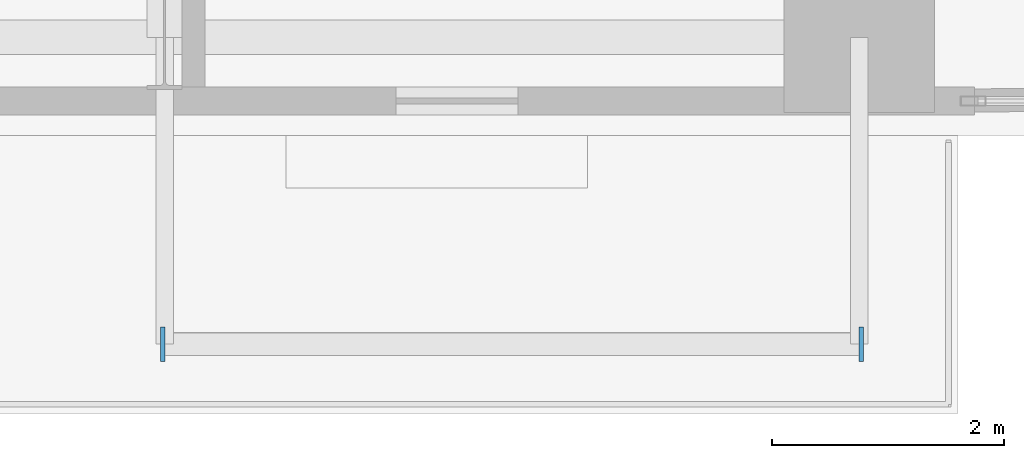
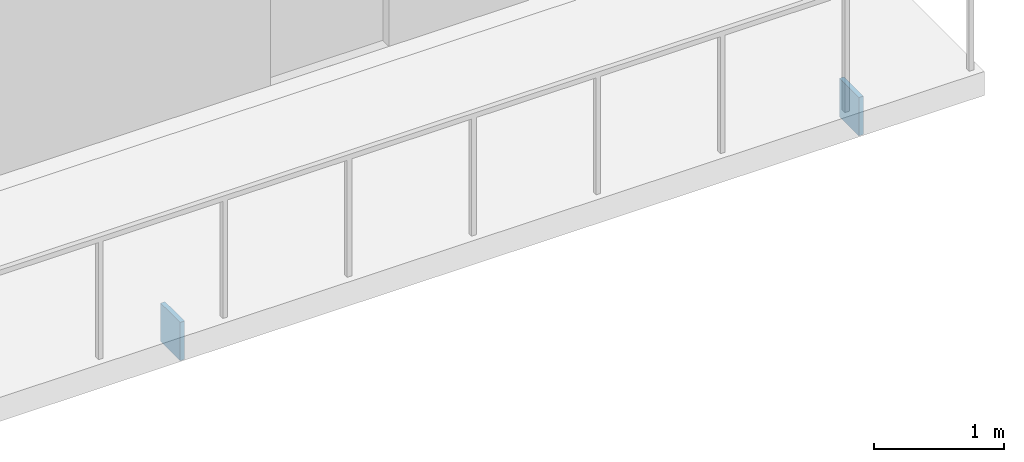
# One storey, part 19 of 27: 2 plates.
"""IFC4 building model written with IfcOpenShell, lengths in metres."""

from ifc_helpers import new_model, si_unit, direction, frame, origin, origin_2d, place, context, subcontext, project, spatial, rectangle, extrude, material, layer, layer_set, type_object, element, save


model = new_model("IFC4")

# Units and contexts
model_context = context("Model", 3, precision=1e-05, world=origin(), true_north=direction((0.0, 1.0)))
body_context = subcontext(model_context, "Body", "Model", "MODEL_VIEW")
ifc_project = project(units=[si_unit("LENGTHUNIT", "METRE"), si_unit("AREAUNIT", "SQUARE_METRE"), si_unit("VOLUMEUNIT", "CUBIC_METRE"), si_unit("PLANEANGLEUNIT", "RADIAN"), si_unit("MASSUNIT", "GRAM", prefix="KILO"), si_unit("THERMODYNAMICTEMPERATUREUNIT", "KELVIN"), si_unit("POWERUNIT", "WATT")], contexts=[model_context])

# Site, building, storey
site_placement = place(None, origin())
site = spatial("IfcSite", under=ifc_project, at=site_placement, CompositionType="ELEMENT")
building_placement = place(site_placement, origin())
building = spatial("IfcBuilding", under=site, at=building_placement, Name="Svarakhadi Broadcast Tower", CompositionType="ELEMENT")
storey_placement = place(building_placement, frame((0.0, 0.0, 75.300048828125)))
storey = spatial("IfcBuildingStorey", under=building, at=storey_placement, Name="L17", CompositionType="ELEMENT", Elevation=75.300048828125)

# Plates
ifc_material = material(Name="Steel S460ML (IS 2062 E450BR)", Category="steel")
ifc_layer = layer(ifc_material, 0.028076171875)
ifc_layer_set = layer_set([ifc_layer], Name="Steel S460ML (IS 2062 E450BR)")
plate_type = type_object("IfcPlateType", Name="Cap_Plate_CP02", PredefinedType="USERDEFINED", material=ifc_layer_set)
for number, where, z_axis, x_axis, name in (
    (1, (41.135009765625, -1.800048828125, -0.580078125), (0.0, 0.0, 1.0), (1.0, 0.0, 0.0), "L17 Balcony Spandrel End Cap Plate 1F-A"),
    (2, (47.1650390625, -1.800048828125, -0.580078125), (0.0, 0.0, 1.0), (1.0, 0.0, 0.0), "L17 Balcony Spandrel End Cap Plate 1F-B"),
):
    element("IfcPlate", number, at=place(storey_placement, frame(where, z_axis=z_axis, x_axis=x_axis)), inside=storey, type_object=plate_type, Name=name, ObjectType="FLANGE_PLATE", PredefinedType="USERDEFINED", context=body_context, shape_type="SweptSolid", body=[
        extrude(rectangle(XDim=0.0400390625, YDim=0.300048828125, at=origin_2d()), origin(), (0.0, 0.0, 1.0), 0.360107421875),
    ])

save(model, "model.ifc")
